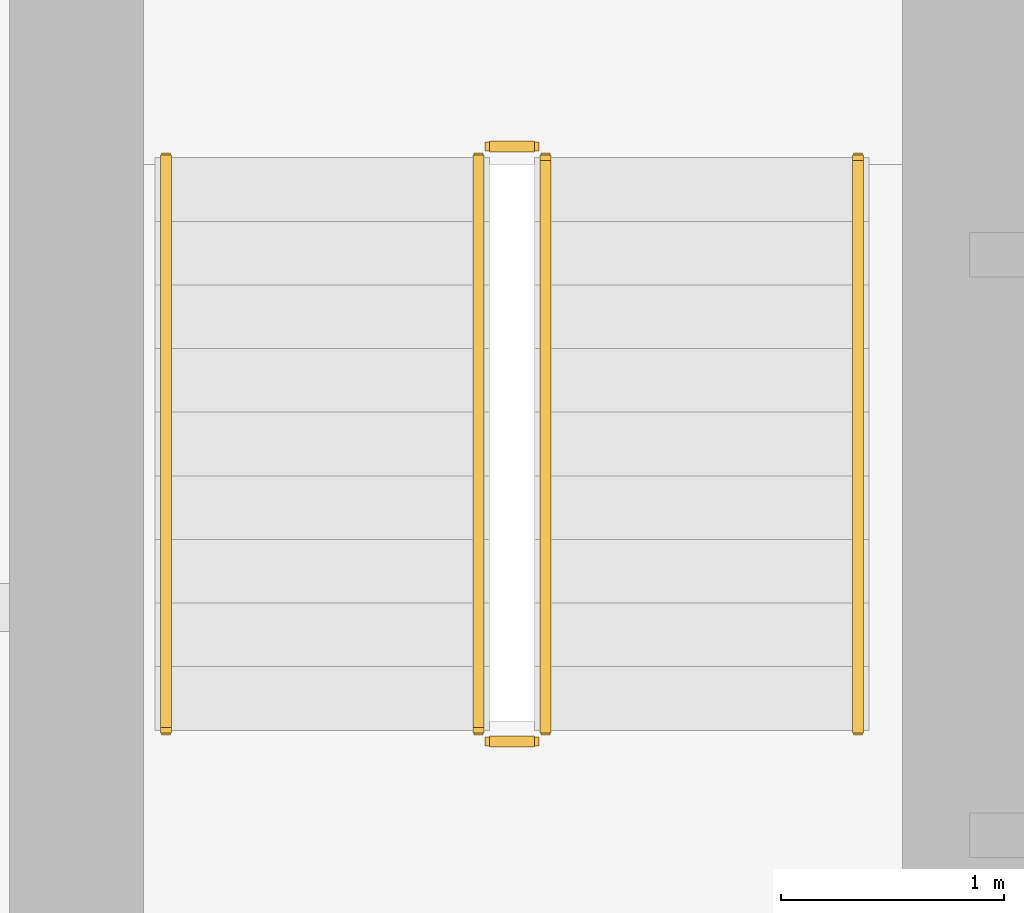
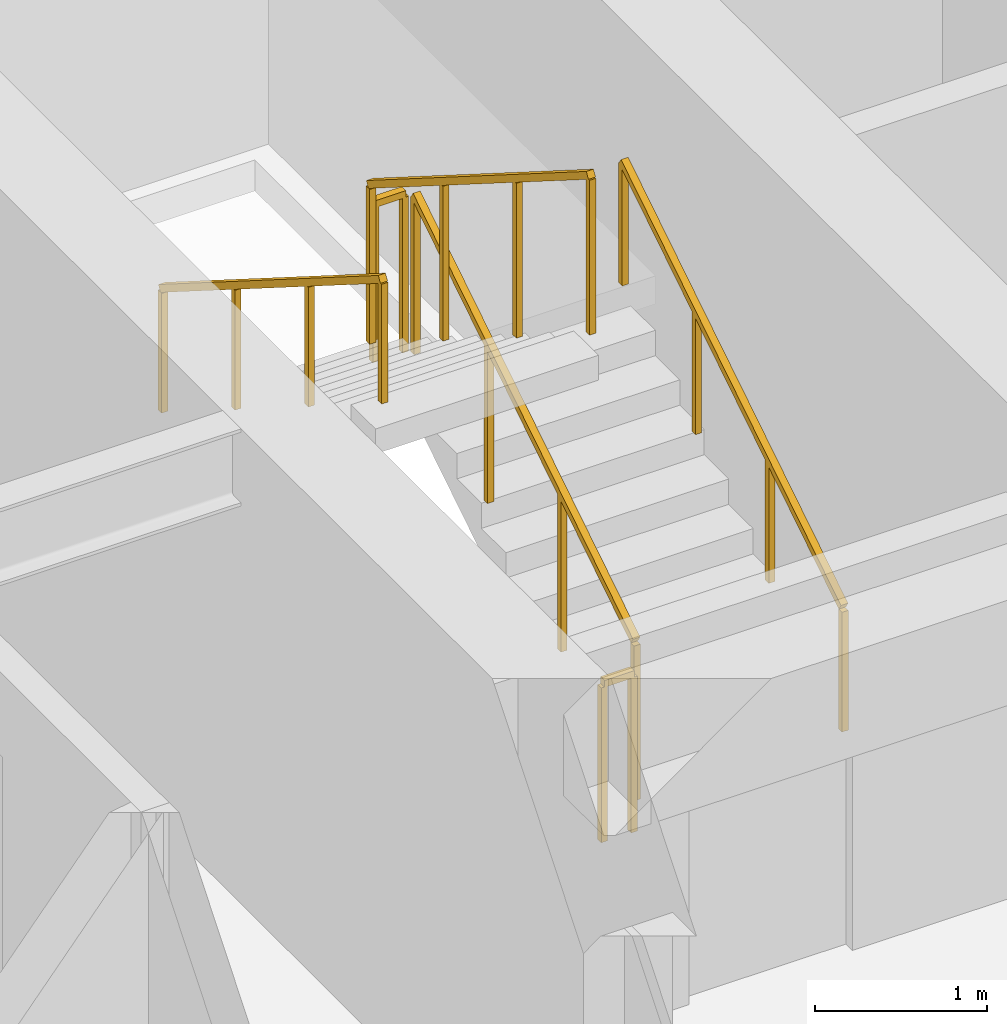
# One storey, part 24 of 26: 6 railings.
"""IFC4 building model written with IfcOpenShell, lengths in metres."""

from ifc_helpers import new_model, si_unit, direction, frame, origin, origin_2d, place, context, subcontext, project, spatial, rectangle, extrude, material, type_object, element, save


model = new_model("IFC4")

# Units and contexts
model_context = context("Model", 3, precision=1e-05, world=origin(), true_north=direction((0.0, 1.0)))
body_context = subcontext(model_context, "Body", "Model", "MODEL_VIEW")
ifc_project = project(units=[si_unit("LENGTHUNIT", "METRE"), si_unit("AREAUNIT", "SQUARE_METRE"), si_unit("VOLUMEUNIT", "CUBIC_METRE"), si_unit("PLANEANGLEUNIT", "RADIAN"), si_unit("MASSUNIT", "GRAM", prefix="KILO")], contexts=[model_context])

# Site, building, storey
site_placement = place(None, origin())
site = spatial("IfcSite", under=ifc_project, at=site_placement, CompositionType="ELEMENT")
building_placement = place(site_placement, origin())
building = spatial("IfcBuilding", under=site, at=building_placement, Name="Sarneth Arch Tower", CompositionType="ELEMENT")
storey_placement = place(building_placement, frame((0.0, 0.0, 53.39990234375)))
storey = spatial("IfcBuildingStorey", under=building, at=storey_placement, Name="L12", CompositionType="ELEMENT", Elevation=53.39990234375)

# Railings
ifc_material_1 = material(Name="Brushed Stainless Steel 304 tubular handrail", Category="steel")
railing_type_1 = type_object("IfcRailingType", Name="RAIL-HANDRAIL-900", PredefinedType="HANDRAIL", material=ifc_material_1)
railing_1_placement = place(storey_placement, frame((40.5, 41.449951171875, 0.18017578125)))
element("IfcRailing", 1, at=railing_1_placement, inside=storey, type_object=railing_type_1, Name="L12 ST-1 stair handrail 1", PredefinedType="HANDRAIL", context=body_context, shape_type="SweptSolid", body=[
    extrude(rectangle(XDim=0.048095703125, YDim=0.048095703125, at=origin_2d()), frame((0.0, 0.0, 0.8759765625), z_axis=(0.0, 0.845502289212, 0.533971796014), x_axis=(-1.0, 0.0, 0.0)), (0.0, 0.0, 1.0), 3.03369140625),
    extrude(rectangle(XDim=0.0419921875, YDim=0.0419921875, at=origin_2d()), origin(), (0.0, 0.0, 1.0), 0.851806640625),
    extrude(rectangle(XDim=0.0419921875, YDim=0.0419921875, at=origin_2d()), frame((0.0, 0.85498046875, 0.5400390625)), (0.0, 0.0, 1.0), 0.851806640625),
    extrude(rectangle(XDim=0.0419921875, YDim=0.0419921875, at=origin_2d()), frame((0.0, 1.7099609375, 1.079833984375)), (0.0, 0.0, 1.0), 0.851806640625),
    extrude(rectangle(XDim=0.0419921875, YDim=0.0419921875, at=origin_2d()), frame((0.0, 2.56494140625, 1.619873046875)), (0.0, 0.0, 1.0), 0.851806640625),
])
railing_2_placement = place(storey_placement, frame((37.39990234375, 44.014892578125, 1.97998046875)))
element("IfcRailing", 2, at=railing_2_placement, inside=storey, type_object=railing_type_1, Name="L12 ST-1 stair handrail 2", PredefinedType="HANDRAIL", context=body_context, shape_type="SweptSolid", body=[
    extrude(rectangle(XDim=0.048095703125, YDim=0.048095703125, at=origin_2d()), frame((0.0, 0.0, 0.8759765625), z_axis=(0.0, -0.845465955043, 0.534029323973), x_axis=(1.0, 0.0, 0.0)), (0.0, 0.0, 1.0), 3.03369140625),
    extrude(rectangle(XDim=0.0419921875, YDim=0.0419921875, at=origin_2d()), origin(), (0.0, 0.0, 1.0), 0.851806640625),
    extrude(rectangle(XDim=0.0419921875, YDim=0.0419921875, at=origin_2d()), frame((0.0, -0.85498046875, 0.5400390625)), (0.0, 0.0, 1.0), 0.851806640625),
    extrude(rectangle(XDim=0.0419921875, YDim=0.0419921875, at=origin_2d()), frame((0.0, -1.7099609375, 1.080078125)), (0.0, 0.0, 1.0), 0.851806640625),
    extrude(rectangle(XDim=0.0419921875, YDim=0.0419921875, at=origin_2d()), frame((0.0, -2.56494140625, 1.6201171875)), (0.0, 0.0, 1.0), 0.851806640625),
])
ifc_material_2 = material(Name="Painted Steel S275 stair well guard", Category="steel")
railing_type_2 = type_object("IfcRailingType", Name="RAIL-STAIR-GUARD", PredefinedType="GUARDRAIL", material=ifc_material_2)
railing_3_placement = place(storey_placement, frame((39.10009765625, 41.449951171875, 0.18017578125)))
element("IfcRailing", 3, at=railing_3_placement, inside=storey, type_object=railing_type_2, Name="L12 ST-1 stair guard 1", PredefinedType="GUARDRAIL", context=body_context, shape_type="SweptSolid", body=[
    extrude(rectangle(XDim=0.048095703125, YDim=0.048095703125, at=origin_2d()), frame((0.0, 0.0, 1.1259765625), z_axis=(0.0, 0.845502289212, 0.533971796014), x_axis=(-1.0, 0.0, 0.0)), (0.0, 0.0, 1.0), 3.03369140625),
    extrude(rectangle(XDim=0.0419921875, YDim=0.0419921875, at=origin_2d()), origin(), (0.0, 0.0, 1.0), 1.101806640625),
    extrude(rectangle(XDim=0.0419921875, YDim=0.0419921875, at=origin_2d()), frame((0.0, 0.85498046875, 0.5400390625)), (0.0, 0.0, 1.0), 1.101806640625),
    extrude(rectangle(XDim=0.0419921875, YDim=0.0419921875, at=origin_2d()), frame((0.0, 1.7099609375, 1.079833984375)), (0.0, 0.0, 1.0), 1.101806640625),
    extrude(rectangle(XDim=0.0419921875, YDim=0.0419921875, at=origin_2d()), frame((0.0, 2.56494140625, 1.619873046875)), (0.0, 0.0, 1.0), 1.101806640625),
])
railing_4_placement = place(storey_placement, frame((39.050048828125, 44.06494140625, 1.800048828125)))
element("IfcRailing", 4, at=railing_4_placement, inside=storey, type_object=railing_type_2, Name="L12 ST-1 stair guard 2", PredefinedType="GUARDRAIL", context=body_context, shape_type="SweptSolid", body=[
    extrude(rectangle(XDim=0.048095703125, YDim=0.048095703125, at=origin_2d()), frame((0.0, 0.0, 1.1259765625), z_axis=(-1.0, 0.0, 0.0), x_axis=(0.0, -1.0, 0.0)), (0.0, 0.0, 1.0), 0.199951171875),
    extrude(rectangle(XDim=0.0419921875, YDim=0.0419921875, at=origin_2d()), origin(), (0.0, 0.0, 1.0), 1.101806640625),
    extrude(rectangle(XDim=0.0419921875, YDim=0.0419921875, at=origin_2d()), frame((-0.199951171875, 0.0, 0.0)), (0.0, 0.0, 1.0), 1.101806640625),
])
railing_5_placement = place(storey_placement, frame((38.800048828125, 44.014892578125, 1.97998046875)))
element("IfcRailing", 5, at=railing_5_placement, inside=storey, type_object=railing_type_2, Name="L12 ST-1 stair guard 3", PredefinedType="GUARDRAIL", context=body_context, shape_type="SweptSolid", body=[
    extrude(rectangle(XDim=0.048095703125, YDim=0.048095703125, at=origin_2d()), frame((0.0, 0.0, 1.1259765625), z_axis=(0.0, -0.845465955043, 0.534029323973), x_axis=(1.0, 0.0, 0.0)), (0.0, 0.0, 1.0), 3.03369140625),
    extrude(rectangle(XDim=0.0419921875, YDim=0.0419921875, at=origin_2d()), origin(), (0.0, 0.0, 1.0), 1.101806640625),
    extrude(rectangle(XDim=0.0419921875, YDim=0.0419921875, at=origin_2d()), frame((0.0, -0.85498046875, 0.5400390625)), (0.0, 0.0, 1.0), 1.101806640625),
    extrude(rectangle(XDim=0.0419921875, YDim=0.0419921875, at=origin_2d()), frame((0.0, -1.7099609375, 1.080078125)), (0.0, 0.0, 1.0), 1.101806640625),
    extrude(rectangle(XDim=0.0419921875, YDim=0.0419921875, at=origin_2d()), frame((0.0, -2.56494140625, 1.6201171875)), (0.0, 0.0, 1.0), 1.101806640625),
])
railing_6_placement = place(storey_placement, frame((39.050048828125, 41.39990234375, 0.0)))
element("IfcRailing", 6, at=railing_6_placement, inside=storey, type_object=railing_type_2, Name="L12 ST-1 stair guard 4", PredefinedType="GUARDRAIL", context=body_context, shape_type="SweptSolid", body=[
    extrude(rectangle(XDim=0.048095703125, YDim=0.048095703125, at=origin_2d()), frame((0.0, 0.0, 1.1259765625), z_axis=(-1.0, 0.0, 0.0), x_axis=(0.0, -1.0, 0.0)), (0.0, 0.0, 1.0), 0.199951171875),
    extrude(rectangle(XDim=0.0419921875, YDim=0.0419921875, at=origin_2d()), origin(), (0.0, 0.0, 1.0), 1.101806640625),
    extrude(rectangle(XDim=0.0419921875, YDim=0.0419921875, at=origin_2d()), frame((-0.199951171875, 0.0, 0.0)), (0.0, 0.0, 1.0), 1.101806640625),
])

save(model, "model.ifc")
